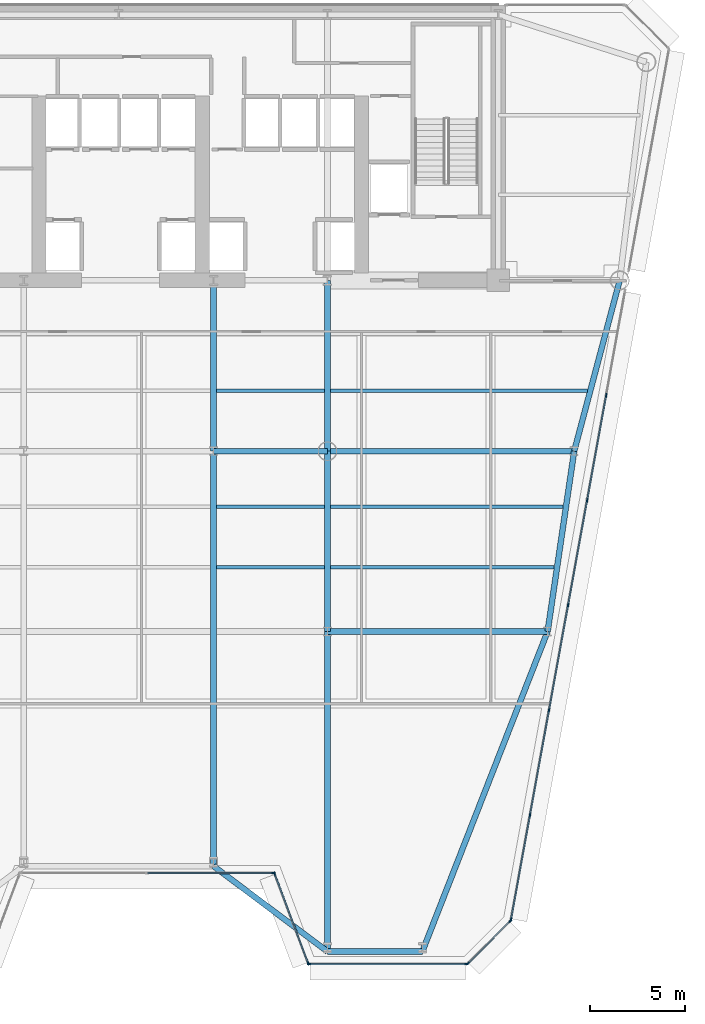
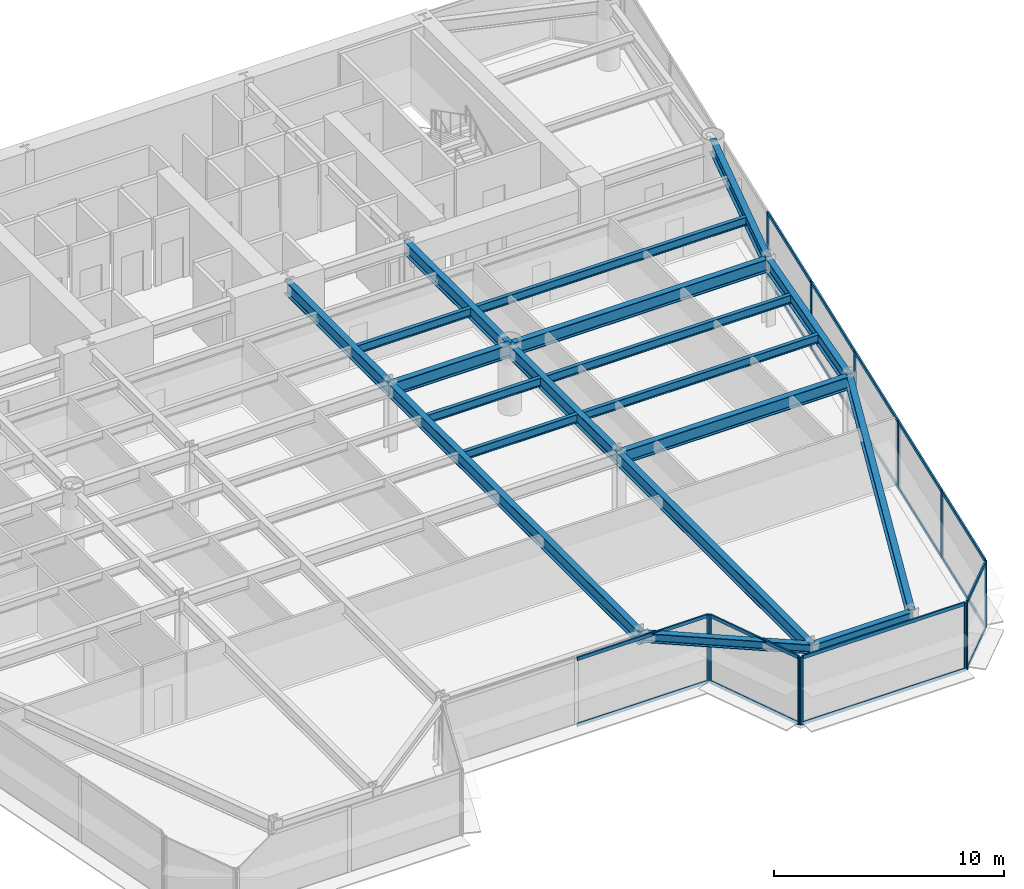
# One storey, part 4 of 14: 31 members, 19 beams, 5 elements without a shape of their own.
"""IFC4 building model written with IfcOpenShell, lengths in metres."""

from ifc_helpers import new_model, si_unit, direction, frame, origin, origin_2d, place, context, subcontext, project, spatial, rectangle, i_section, extrude, source, transform, mapped, material, layer, layer_set, material_profile, profile_set, type_object, element, aggregate, save


model = new_model("IFC4")

# Units and contexts
model_context = context("Model", 3, precision=1e-05, world=origin(), true_north=direction((0.0, 1.0)))
body_context = subcontext(model_context, "Body", "Model", "MODEL_VIEW")
ifc_project = project(units=[si_unit("LENGTHUNIT", "METRE"), si_unit("AREAUNIT", "SQUARE_METRE"), si_unit("VOLUMEUNIT", "CUBIC_METRE"), si_unit("PLANEANGLEUNIT", "RADIAN"), si_unit("MASSUNIT", "GRAM", prefix="KILO")], contexts=[model_context])

# Site, building, storey
site_placement = place(None, origin())
site = spatial("IfcSite", under=ifc_project, at=site_placement, CompositionType="ELEMENT")
building_placement = place(site_placement, origin())
building = spatial("IfcBuilding", under=site, at=building_placement, Name="Vaeldorn Concourse Tower", CompositionType="ELEMENT")
storey_placement = place(building_placement, frame((0.0, 0.0, 137.60009765625)))
storey = spatial("IfcBuildingStorey", under=building, at=storey_placement, Name="L35", CompositionType="ELEMENT", Elevation=137.60009765625)

# Beams
ifc_material_1 = material(Name="Steel S355", Category="steel")
ifc_material_profile_1 = material_profile(ifc_material_1, i_section(OverallWidth=0.300048828125, OverallDepth=0.699951171875, WebThickness=0.01708984375, FlangeThickness=0.031982421875, FilletRadius=0.027099609375, at=origin_2d()), Name="HEB 700")
ifc_profile_set_1 = profile_set([ifc_material_profile_1], Name="Steel S355")
beam_type_1 = type_object("IfcBeamType", Name="BM-PG-HEB700", PredefinedType="BEAM", material=ifc_profile_set_1)
shared_shape_1 = source(origin(), body_context, "Body", "SweptSolid", [
    extrude(i_section(OverallWidth=0.300048828125, OverallDepth=0.699951171875, WebThickness=0.01708984375, FlangeThickness=0.031982421875, FilletRadius=0.027099609375, at=origin_2d()), origin(), (0.0, 0.0, 1.0), 6.0),
])
beam_1_placement = place(storey_placement, frame((39.0, 27.5, 3.22998046875), z_axis=(1.0, 0.0, 0.0), x_axis=(0.0, 1.0, 0.0)))
element("IfcBeam", 1, at=beam_1_placement, inside=storey, type_object=beam_type_1, Name="Beam BM-L35-C-TW3-C-TW4", PredefinedType="BEAM", context=body_context, shape_type="MappedRepresentation", body=[
    mapped(shared_shape_1, transform((0.0, 0.0, 0.0), scale=1.0)),
])
shared_shape_2 = source(origin(), body_context, "Body", "SweptSolid", [
    extrude(i_section(OverallWidth=0.300048828125, OverallDepth=0.699951171875, WebThickness=0.01708984375, FlangeThickness=0.031982421875, FilletRadius=0.027099609375, at=origin_2d()), origin(), (0.0, 0.0, 1.0), 9.0),
])
for number, where, z_axis, x_axis, name in (
    (2, (39.0, 27.5, 3.22998046875), (0.0, 1.0, 0.0), (-1.0, 0.0, 0.0), "Beam BM-L35-C-TW3-C-FC4"),
    (3, (45.0, 27.5, 3.22998046875), (0.0, 1.0, 0.0), (-1.0, 0.0, 0.0), "Beam BM-L35-C-TW4-C-FC5"),
):
    element("IfcBeam", number, at=place(storey_placement, frame(where, z_axis=z_axis, x_axis=x_axis)), inside=storey, type_object=beam_type_1, Name=name, PredefinedType="BEAM", context=body_context, shape_type="MappedRepresentation", body=[
        mapped(shared_shape_2, transform((0.0, 0.0, 0.0), scale=1.0)),
    ])
shared_shape_3 = source(origin(), body_context, "Body", "SweptSolid", [
    extrude(i_section(OverallWidth=0.300048828125, OverallDepth=0.699951171875, WebThickness=0.01708984375, FlangeThickness=0.031982421875, FilletRadius=0.027099609375, at=origin_2d()), origin(), (0.0, 0.0, 1.0), 9.314453125),
])
beam_2_placement = place(storey_placement, frame((60.39990234375, 36.5, 3.22998046875), z_axis=(-0.257652862255, -0.966237549763, 0.0), x_axis=(0.966237549763, -0.257652862255, 0.0)))
element("IfcBeam", 4, at=beam_2_placement, inside=storey, type_object=beam_type_1, Name="Beam BM-L35-C-NE2-C-FLE1", PredefinedType="BEAM", context=body_context, shape_type="MappedRepresentation", body=[
    mapped(shared_shape_3, transform((0.0, 0.0, 0.0), scale=1.0)),
])
shared_shape_4 = source(origin(), body_context, "Body", "SweptSolid", [
    extrude(i_section(OverallWidth=0.300048828125, OverallDepth=0.699951171875, WebThickness=0.01708984375, FlangeThickness=0.031982421875, FilletRadius=0.027099609375, at=origin_2d()), origin(), (0.0, 0.0, 1.0), 13.0),
])
beam_3_placement = place(storey_placement, frame((45.0, 27.5, 3.22998046875), z_axis=(1.0, 0.0, 0.0), x_axis=(0.0, 1.0, 0.0)))
element("IfcBeam", 5, at=beam_3_placement, inside=storey, type_object=beam_type_1, Name="Beam BM-L35-C-TW4-C-FLE1", PredefinedType="BEAM", context=body_context, shape_type="MappedRepresentation", body=[
    mapped(shared_shape_4, transform((0.0, 0.0, 0.0), scale=1.0)),
])
ifc_material_profile_2 = material_profile(ifc_material_1, i_section(OverallWidth=0.300048828125, OverallDepth=0.5, WebThickness=0.014404296875, FlangeThickness=0.028076171875, FilletRadius=0.027099609375, at=origin_2d()), Name="HEB 500")
ifc_profile_set_2 = profile_set([ifc_material_profile_2], Name="Steel S355")
beam_type_2 = type_object("IfcBeamType", Name="BM-SP-HEB500", PredefinedType="SPANDREL", material=ifc_profile_set_2)
shared_shape_5 = source(origin(), body_context, "Body", "SweptSolid", [
    extrude(i_section(OverallWidth=0.300048828125, OverallDepth=0.5, WebThickness=0.014404296875, FlangeThickness=0.028076171875, FilletRadius=0.027099609375, at=origin_2d()), origin(), (0.0, 0.0, 1.0), 5.0),
])
beam_4_placement = place(storey_placement, frame((45.0, 1.13916015625, 3.329833984375), z_axis=(1.0, 0.0, 0.0), x_axis=(0.0, 1.0, 0.0)))
element("IfcBeam", 6, at=beam_4_placement, inside=storey, type_object=beam_type_2, Name="Beam BM-L35-C-SF5-C-SF6", PredefinedType="SPANDREL", context=body_context, shape_type="MappedRepresentation", body=[
    mapped(shared_shape_5, transform((0.0, 0.0, 0.0), scale=1.0)),
])
shared_shape_6 = source(origin(), body_context, "Body", "SweptSolid", [
    extrude(i_section(OverallWidth=0.300048828125, OverallDepth=0.5, WebThickness=0.014404296875, FlangeThickness=0.028076171875, FilletRadius=0.027099609375, at=origin_2d()), origin(), (0.0, 0.0, 1.0), 7.5),
])
beam_5_placement = place(storey_placement, frame((39.0, 5.63916015625, 3.329833984375), z_axis=(0.8, -0.6, 0.0), x_axis=(0.6, 0.8, 0.0)))
element("IfcBeam", 7, at=beam_5_placement, inside=storey, type_object=beam_type_2, Name="Beam BM-L35-C-SF4-C-SF5", PredefinedType="SPANDREL", context=body_context, shape_type="MappedRepresentation", body=[
    mapped(shared_shape_6, transform((0.0, 0.0, 0.0), scale=1.0)),
])
shared_shape_7 = source(origin(), body_context, "Body", "SweptSolid", [
    extrude(i_section(OverallWidth=0.300048828125, OverallDepth=0.699951171875, WebThickness=0.01708984375, FlangeThickness=0.031982421875, FilletRadius=0.027099609375, at=origin_2d()), origin(), (0.0, 0.0, 1.0), 9.6025390625),
])
beam_6_placement = place(storey_placement, frame((58.0, 27.5, 3.22998046875), z_axis=(-0.145783835977, -0.989316467652, 0.0), x_axis=(0.989316467652, -0.145783835977, 0.0)))
element("IfcBeam", 8, at=beam_6_placement, inside=storey, type_object=beam_type_1, Name="Beam BM-L35-C-FLE1-C-FLE2", PredefinedType="BEAM", context=body_context, shape_type="MappedRepresentation", body=[
    mapped(shared_shape_7, transform((0.0, 0.0, 0.0), scale=1.0)),
])
shared_shape_8 = source(origin(), body_context, "Body", "SweptSolid", [
    extrude(i_section(OverallWidth=0.300048828125, OverallDepth=0.699951171875, WebThickness=0.01708984375, FlangeThickness=0.031982421875, FilletRadius=0.027099609375, at=origin_2d()), origin(), (0.0, 0.0, 1.0), 11.60009765625),
])
beam_7_placement = place(storey_placement, frame((45.0, 18.0, 3.22998046875), z_axis=(1.0, 0.0, 0.0), x_axis=(0.0, 1.0, 0.0)))
element("IfcBeam", 9, at=beam_7_placement, inside=storey, type_object=beam_type_1, Name="Beam BM-L35-C-TW6-C-FLE2", PredefinedType="BEAM", context=body_context, shape_type="MappedRepresentation", body=[
    mapped(shared_shape_8, transform((0.0, 0.0, 0.0), scale=1.0)),
])
shared_shape_9 = source(origin(), body_context, "Body", "SweptSolid", [
    extrude(i_section(OverallWidth=0.300048828125, OverallDepth=0.699951171875, WebThickness=0.01708984375, FlangeThickness=0.031982421875, FilletRadius=0.027099609375, at=origin_2d()), origin(), (0.0, 0.0, 1.0), 9.5),
])
beam_8_placement = place(storey_placement, frame((45.0, 18.0, 3.22998046875), z_axis=(0.0, 1.0, 0.0), x_axis=(-1.0, 0.0, 0.0)))
element("IfcBeam", 10, at=beam_8_placement, inside=storey, type_object=beam_type_1, Name="Beam BM-L35-C-TW6-C-TW4", PredefinedType="BEAM", context=body_context, shape_type="MappedRepresentation", body=[
    mapped(shared_shape_9, transform((0.0, 0.0, 0.0), scale=1.0)),
])
ifc_material_profile_3 = material_profile(ifc_material_1, i_section(OverallWidth=0.18994140625, OverallDepth=0.449951171875, WebThickness=0.009521484375, FlangeThickness=0.0146484375, FilletRadius=0.02099609375, at=origin_2d()), Name="IPE 450")
ifc_profile_set_3 = profile_set([ifc_material_profile_3], Name="Steel S355")
beam_type_3 = type_object("IfcBeamType", Name="BM-JS-IPE450", PredefinedType="JOIST", material=ifc_profile_set_3)
shared_shape_10 = source(origin(), body_context, "Body", "SweptSolid", [
    extrude(i_section(OverallWidth=0.18994140625, OverallDepth=0.449951171875, WebThickness=0.009521484375, FlangeThickness=0.0146484375, FilletRadius=0.02099609375, at=origin_2d()), origin(), (0.0, 0.0, 1.0), 5.7001953125),
])
for number, where, z_axis, x_axis, name in (
    (11, (39.14990234375, 21.3798828125, 3.35498046875), (1.0, 0.0, 0.0), (0.0, 1.0, 0.0), "Beam JS-L35-E2-213"),
    (12, (39.14990234375, 24.580078125, 3.35498046875), (1.0, 0.0, 0.0), (0.0, 1.0, 0.0), "Beam JS-L35-E2-245"),
    (13, (39.14990234375, 30.679931640625, 3.35498046875), (1.0, 0.0, 0.0), (0.0, 1.0, 0.0), "Beam JS-L35-E2-306"),
):
    element("IfcBeam", number, at=place(storey_placement, frame(where, z_axis=z_axis, x_axis=x_axis)), inside=storey, type_object=beam_type_3, Name=name, PredefinedType="JOIST", context=body_context, shape_type="MappedRepresentation", body=[
        mapped(shared_shape_10, transform((0.0, 0.0, 0.0), scale=1.0)),
    ])
shared_shape_11 = source(origin(), body_context, "Body", "SweptSolid", [
    extrude(i_section(OverallWidth=0.300048828125, OverallDepth=0.699951171875, WebThickness=0.01708984375, FlangeThickness=0.031982421875, FilletRadius=0.027099609375, at=origin_2d()), origin(), (0.0, 0.0, 1.0), 18.106689453125),
])
beam_9_placement = place(storey_placement, frame((50.0, 1.13916015625, 3.22998046875), z_axis=(0.36451322626, 0.931198210845, 0.0), x_axis=(-0.931198210845, 0.36451322626, 0.0)))
element("IfcBeam", 14, at=beam_9_placement, inside=storey, type_object=beam_type_1, Name="Beam BM-L35-C-SF6-C-FLE2", PredefinedType="BEAM", context=body_context, shape_type="MappedRepresentation", body=[
    mapped(shared_shape_11, transform((0.0, 0.0, 0.0), scale=1.0)),
])
shared_shape_12 = source(origin(), body_context, "Body", "SweptSolid", [
    extrude(i_section(OverallWidth=0.300048828125, OverallDepth=0.699951171875, WebThickness=0.01708984375, FlangeThickness=0.031982421875, FilletRadius=0.027099609375, at=origin_2d()), origin(), (0.0, 0.0, 1.0), 16.86083984375),
])
beam_10_placement = place(storey_placement, frame((45.0, 1.13916015625, 3.22998046875), z_axis=(0.0, 1.0, 0.0), x_axis=(-1.0, 0.0, 0.0)))
element("IfcBeam", 15, at=beam_10_placement, inside=storey, type_object=beam_type_1, Name="Beam BM-L35-C-SF5-C-TW6", PredefinedType="BEAM", context=body_context, shape_type="MappedRepresentation", body=[
    mapped(shared_shape_12, transform((0.0, 0.0, 0.0), scale=1.0)),
])
shared_shape_13 = source(origin(), body_context, "Body", "SweptSolid", [
    extrude(i_section(OverallWidth=0.300048828125, OverallDepth=0.699951171875, WebThickness=0.01708984375, FlangeThickness=0.031982421875, FilletRadius=0.027099609375, at=origin_2d()), origin(), (0.0, 0.0, 1.0), 21.86083984375),
])
beam_11_placement = place(storey_placement, frame((39.0, 5.63916015625, 3.22998046875), z_axis=(0.0, 1.0, 0.0), x_axis=(-1.0, 0.0, 0.0)))
element("IfcBeam", 16, at=beam_11_placement, inside=storey, type_object=beam_type_1, Name="Beam BM-L35-C-SF4-C-TW3", PredefinedType="BEAM", context=body_context, shape_type="MappedRepresentation", body=[
    mapped(shared_shape_13, transform((0.0, 0.0, 0.0), scale=1.0)),
])
shared_shape_14 = source(origin(), body_context, "Body", "SweptSolid", [
    extrude(i_section(OverallWidth=0.18994140625, OverallDepth=0.449951171875, WebThickness=0.009521484375, FlangeThickness=0.0146484375, FilletRadius=0.02099609375, at=origin_2d()), origin(), (0.0, 0.0, 1.0), 11.798095703125),
])
beam_12_placement = place(storey_placement, frame((45.14990234375, 21.3798828125, 3.35498046875), z_axis=(1.0, 0.0, 0.0), x_axis=(0.0, 1.0, 0.0)))
element("IfcBeam", 17, at=beam_12_placement, inside=storey, type_object=beam_type_3, Name="Beam JS-L35-E1-213", PredefinedType="JOIST", context=body_context, shape_type="MappedRepresentation", body=[
    mapped(shared_shape_14, transform((0.0, 0.0, 0.0), scale=1.0)),
])
shared_shape_15 = source(origin(), body_context, "Body", "SweptSolid", [
    extrude(i_section(OverallWidth=0.18994140625, OverallDepth=0.449951171875, WebThickness=0.009521484375, FlangeThickness=0.0146484375, FilletRadius=0.02099609375, at=origin_2d()), origin(), (0.0, 0.0, 1.0), 12.269775390625),
])
beam_13_placement = place(storey_placement, frame((45.14990234375, 24.580078125, 3.35498046875), z_axis=(1.0, 0.0, 0.0), x_axis=(0.0, 1.0, 0.0)))
element("IfcBeam", 18, at=beam_13_placement, inside=storey, type_object=beam_type_3, Name="Beam JS-L35-E1-245", PredefinedType="JOIST", context=body_context, shape_type="MappedRepresentation", body=[
    mapped(shared_shape_15, transform((0.0, 0.0, 0.0), scale=1.0)),
])
shared_shape_16 = source(origin(), body_context, "Body", "SweptSolid", [
    extrude(i_section(OverallWidth=0.18994140625, OverallDepth=0.449951171875, WebThickness=0.009521484375, FlangeThickness=0.0146484375, FilletRadius=0.02099609375, at=origin_2d()), origin(), (0.0, 0.0, 1.0), 13.548095703125),
])
beam_14_placement = place(storey_placement, frame((45.14990234375, 30.679931640625, 3.35498046875), z_axis=(1.0, 0.0, 0.0), x_axis=(0.0, 1.0, 0.0)))
element("IfcBeam", 19, at=beam_14_placement, inside=storey, type_object=beam_type_3, Name="Beam JS-L35-E1-306", PredefinedType="JOIST", context=body_context, shape_type="MappedRepresentation", body=[
    mapped(shared_shape_16, transform((0.0, 0.0, 0.0), scale=1.0)),
])

# Curtain wall, members
ifc_material_2 = material(Name="Anodised Bronze Aluminium", Category="aluminium")
ifc_layer = layer(ifc_material_2, 0.199951171875)
ifc_layer_set = layer_set([ifc_layer], Name="Anodised Bronze Aluminium")
curtain_wall_type = type_object("IfcCurtainWallType", Name="CW-SYS-02", PredefinedType="NOTDEFINED", material=ifc_layer_set)
curtain_wall_1_placement = place(storey_placement, origin())
curtain_wall_1 = element("IfcCurtainWall", 20, at=curtain_wall_1_placement, inside=storey, type_object=curtain_wall_type, Name="Unitised Curtain Wall CW-L35-E03-1", PredefinedType="NOTDEFINED")
ifc_material_profile_4 = material_profile(ifc_material_2, rectangle(XDim=0.074951171875, YDim=0.179931640625, at=origin_2d()), Name="CWT 75x180")
ifc_profile_set_4 = profile_set([ifc_material_profile_4], Name="Anodised Bronze Aluminium")
member_type_1 = type_object("IfcMemberType", Name="CWT-BRONZE-180", PredefinedType="USERDEFINED", material=ifc_profile_set_4)
shared_shape_17 = source(origin(), body_context, "Body", "SweptSolid", [
    extrude(rectangle(XDim=0.074951171875, YDim=0.179931640625, at=origin_2d()), origin(), (0.0, 0.0, 1.0), 6.58740234375),
])
member_1_placement = place(storey_placement, frame((35.53759765625, 5.2783203125, 0.037353515625), z_axis=(1.0, 0.0, 0.0), x_axis=(0.0, 1.0, 0.0)))
member_1 = element("IfcMember", 21, at=member_1_placement, type_object=member_type_1, Name="CW-02 transom 2.1", ObjectType="TRANSOM", PredefinedType="USERDEFINED", context=body_context, shape_type="MappedRepresentation", body=[
    mapped(shared_shape_17, transform((0.0, 0.0, 0.0), scale=1.0)),
])
member_2_placement = place(storey_placement, frame((35.53759765625, 5.2783203125, 3.54248046875), z_axis=(1.0, 0.0, 0.0), x_axis=(0.0, 1.0, 0.0)))
member_2 = element("IfcMember", 22, at=member_2_placement, type_object=member_type_1, Name="CW-02 transom 2.2", ObjectType="TRANSOM", PredefinedType="USERDEFINED", context=body_context, shape_type="MappedRepresentation", body=[
    mapped(shared_shape_17, transform((0.0, 0.0, 0.0), scale=1.0)),
])

curtain_wall_2_placement = place(storey_placement, origin())
curtain_wall_2 = element("IfcCurtainWall", 23, at=curtain_wall_2_placement, inside=storey, type_object=curtain_wall_type, Name="Unitised Curtain Wall CW-L35-E04-1", PredefinedType="NOTDEFINED")
shared_shape_18 = source(origin(), body_context, "Body", "SweptSolid", [
    extrude(rectangle(XDim=0.074951171875, YDim=0.179931640625, at=origin_2d()), origin(), (0.0, 0.0, 1.0), 4.9765625),
])
member_3_placement = place(storey_placement, frame((42.226318359375, 5.2080078125, 0.037353515625), z_axis=(0.351112688987, -0.936333209724, 0.0), x_axis=(0.936333209724, 0.351112688987, 0.0)))
member_3 = element("IfcMember", 24, at=member_3_placement, type_object=member_type_1, Name="CW-02 transom 1.1", ObjectType="TRANSOM", PredefinedType="USERDEFINED", context=body_context, shape_type="MappedRepresentation", body=[
    mapped(shared_shape_18, transform((0.0, 0.0, 0.0), scale=1.0)),
])
member_4_placement = place(storey_placement, frame((42.226318359375, 5.2080078125, 3.54248046875), z_axis=(0.351112688987, -0.936333209724, 0.0), x_axis=(0.936333209724, 0.351112688987, 0.0)))
member_4 = element("IfcMember", 25, at=member_4_placement, type_object=member_type_1, Name="CW-02 transom 1.2", ObjectType="TRANSOM", PredefinedType="USERDEFINED", context=body_context, shape_type="MappedRepresentation", body=[
    mapped(shared_shape_18, transform((0.0, 0.0, 0.0), scale=1.0)),
])

curtain_wall_3_placement = place(storey_placement, origin())
curtain_wall_3 = element("IfcCurtainWall", 26, at=curtain_wall_3_placement, inside=storey, type_object=curtain_wall_type, Name="Unitised Curtain Wall CW-L35-E05-1", PredefinedType="NOTDEFINED")
shared_shape_19 = source(origin(), body_context, "Body", "SweptSolid", [
    extrude(rectangle(XDim=0.074951171875, YDim=0.179931640625, at=origin_2d()), origin(), (0.0, 0.0, 1.0), 8.2138671875),
])
member_5_placement = place(storey_placement, frame((44.074951171875, 0.478271484375, 0.037353515625), z_axis=(1.0, 0.0, 0.0), x_axis=(0.0, 1.0, 0.0)))
member_5 = element("IfcMember", 27, at=member_5_placement, type_object=member_type_1, Name="CW-02 transom 1.1", ObjectType="TRANSOM", PredefinedType="USERDEFINED", context=body_context, shape_type="MappedRepresentation", body=[
    mapped(shared_shape_19, transform((0.0, 0.0, 0.0), scale=1.0)),
])
member_6_placement = place(storey_placement, frame((44.074951171875, 0.478271484375, 3.54248046875), z_axis=(1.0, 0.0, 0.0), x_axis=(0.0, 1.0, 0.0)))
member_6 = element("IfcMember", 28, at=member_6_placement, type_object=member_type_1, Name="CW-02 transom 1.2", ObjectType="TRANSOM", PredefinedType="USERDEFINED", context=body_context, shape_type="MappedRepresentation", body=[
    mapped(shared_shape_19, transform((0.0, 0.0, 0.0), scale=1.0)),
])

curtain_wall_4_placement = place(storey_placement, origin())
curtain_wall_4 = element("IfcCurtainWall", 29, at=curtain_wall_4_placement, inside=storey, type_object=curtain_wall_type, Name="Unitised Curtain Wall CW-L35-E06-1", PredefinedType="NOTDEFINED")
shared_shape_20 = source(origin(), body_context, "Body", "SweptSolid", [
    extrude(rectangle(XDim=0.074951171875, YDim=0.179931640625, at=origin_2d()), origin(), (0.0, 0.0, 1.0), 3.1025390625),
])
member_7_placement = place(storey_placement, frame((52.4169921875, 0.53125, 0.037353515625), z_axis=(0.707106781187, 0.707106781187, 0.0), x_axis=(-0.707106781187, 0.707106781187, 0.0)))
member_7 = element("IfcMember", 30, at=member_7_placement, type_object=member_type_1, Name="CW-02 transom 1.1", ObjectType="TRANSOM", PredefinedType="USERDEFINED", context=body_context, shape_type="MappedRepresentation", body=[
    mapped(shared_shape_20, transform((0.0, 0.0, 0.0), scale=1.0)),
])
member_8_placement = place(storey_placement, frame((52.4169921875, 0.53125, 3.54248046875), z_axis=(0.707106781187, 0.707106781187, 0.0), x_axis=(-0.707106781187, 0.707106781187, 0.0)))
member_8 = element("IfcMember", 31, at=member_8_placement, type_object=member_type_1, Name="CW-02 transom 1.2", ObjectType="TRANSOM", PredefinedType="USERDEFINED", context=body_context, shape_type="MappedRepresentation", body=[
    mapped(shared_shape_20, transform((0.0, 0.0, 0.0), scale=1.0)),
])

# Member
ifc_material_profile_5 = material_profile(ifc_material_2, rectangle(XDim=0.074951171875, YDim=0.18994140625, at=origin_2d()), Name="CWM 75x190")
ifc_profile_set_5 = profile_set([ifc_material_profile_5], Name="Anodised Bronze Aluminium")
member_type_2 = type_object("IfcMemberType", Name="CWM-BRONZE-190", PredefinedType="MULLION", material=ifc_profile_set_5)
shared_shape_21 = source(origin(), body_context, "Body", "SweptSolid", [
    extrude(rectangle(XDim=0.074951171875, YDim=0.18994140625, at=origin_2d()), origin(), (0.0, 0.0, 1.0), 3.579833984375),
])
member_9_placement = place(storey_placement, frame((42.16259765625, 5.2783203125, 0.0), z_axis=(0.0, 0.0, 1.0), x_axis=(0.0, 1.0, 0.0)))
member_9 = element("IfcMember", 32, at=member_9_placement, type_object=member_type_2, Name="CW-02 mullion 3", PredefinedType="MULLION", context=body_context, shape_type="MappedRepresentation", body=[
    mapped(shared_shape_21, transform((0.0, 0.0, 0.0), scale=1.0)),
])

aggregate(curtain_wall_1, [member_9, member_1, member_2])

member_10_placement = place(storey_placement, frame((42.213134765625, 5.2431640625, 0.0), z_axis=(0.0, 0.0, 1.0), x_axis=(0.936329177566, 0.351123441595, 0.0)))
member_10 = element("IfcMember", 33, at=member_10_placement, type_object=member_type_2, Name="CW-02 mullion 1", PredefinedType="MULLION", context=body_context, shape_type="MappedRepresentation", body=[
    mapped(shared_shape_21, transform((0.0, 0.0, 0.0), scale=1.0)),
])

member_11_placement = place(storey_placement, frame((43.98681640625, 0.513427734375, 0.0), z_axis=(0.0, 0.0, 1.0), x_axis=(0.936329177566, 0.351123441595, 0.0)))
member_11 = element("IfcMember", 34, at=member_11_placement, type_object=member_type_2, Name="CW-02 mullion 2", PredefinedType="MULLION", context=body_context, shape_type="MappedRepresentation", body=[
    mapped(shared_shape_21, transform((0.0, 0.0, 0.0), scale=1.0)),
])

aggregate(curtain_wall_2, [member_10, member_11, member_3, member_4])

member_12_placement = place(storey_placement, frame((44.03759765625, 0.478271484375, 0.0), z_axis=(0.0, 0.0, 1.0), x_axis=(0.0, 1.0, 0.0)))
member_12 = element("IfcMember", 35, at=member_12_placement, type_object=member_type_2, Name="CW-02 mullion 1", PredefinedType="MULLION", context=body_context, shape_type="MappedRepresentation", body=[
    mapped(shared_shape_21, transform((0.0, 0.0, 0.0), scale=1.0)),
])

member_13_placement = place(storey_placement, frame((52.326416015625, 0.478271484375, 0.0), z_axis=(0.0, 0.0, 1.0), x_axis=(0.0, 1.0, 0.0)))
member_13 = element("IfcMember", 36, at=member_13_placement, type_object=member_type_2, Name="CW-02 mullion 2", PredefinedType="MULLION", context=body_context, shape_type="MappedRepresentation", body=[
    mapped(shared_shape_21, transform((0.0, 0.0, 0.0), scale=1.0)),
])

aggregate(curtain_wall_3, [member_12, member_13, member_5, member_6])

member_14_placement = place(storey_placement, frame((52.390380859375, 0.504638671875, 0.0), z_axis=(0.0, 0.0, 1.0), x_axis=(-0.707106781187, 0.707106781187, 0.0)))
member_14 = element("IfcMember", 37, at=member_14_placement, type_object=member_type_2, Name="CW-02 mullion 1", PredefinedType="MULLION", context=body_context, shape_type="MappedRepresentation", body=[
    mapped(shared_shape_21, transform((0.0, 0.0, 0.0), scale=1.0)),
])

member_15_placement = place(storey_placement, frame((54.637451171875, 2.751708984375, 0.0), z_axis=(0.0, 0.0, 1.0), x_axis=(-0.707106781187, 0.707106781187, 0.0)))
member_15 = element("IfcMember", 38, at=member_15_placement, type_object=member_type_2, Name="CW-02 mullion 2", PredefinedType="MULLION", context=body_context, shape_type="MappedRepresentation", body=[
    mapped(shared_shape_21, transform((0.0, 0.0, 0.0), scale=1.0)),
])

aggregate(curtain_wall_4, [member_14, member_15, member_7, member_8])

# Curtain wall, members
curtain_wall_5_placement = place(storey_placement, origin())
curtain_wall_5 = element("IfcCurtainWall", 39, at=curtain_wall_5_placement, inside=storey, type_object=curtain_wall_type, Name="Unitised Curtain Wall CW-L35-E07-1", PredefinedType="NOTDEFINED")
member_16_placement = place(storey_placement, frame((54.670654296875, 2.815185546875, 0.0), z_axis=(0.0, 0.0, 1.0), x_axis=(-0.983920223109, 0.178608495197, 0.0)))
member_16 = element("IfcMember", 40, at=member_16_placement, type_object=member_type_2, Name="CW-02 mullion 1", PredefinedType="MULLION", context=body_context, shape_type="MappedRepresentation", body=[
    mapped(shared_shape_21, transform((0.0, 0.0, 0.0), scale=1.0)),
])
member_17_placement = place(storey_placement, frame((55.66845703125, 8.312255859375, 0.0), z_axis=(0.0, 0.0, 1.0), x_axis=(-0.983920223109, 0.178608495197, 0.0)))
member_17 = element("IfcMember", 41, at=member_17_placement, type_object=member_type_2, Name="CW-02 mullion 2", PredefinedType="MULLION", context=body_context, shape_type="MappedRepresentation", body=[
    mapped(shared_shape_21, transform((0.0, 0.0, 0.0), scale=1.0)),
])
member_18_placement = place(storey_placement, frame((56.673095703125, 13.84619140625, 0.0), z_axis=(0.0, 0.0, 1.0), x_axis=(-0.983920223109, 0.178608495197, 0.0)))
member_18 = element("IfcMember", 42, at=member_18_placement, type_object=member_type_2, Name="CW-02 mullion 3", PredefinedType="MULLION", context=body_context, shape_type="MappedRepresentation", body=[
    mapped(shared_shape_21, transform((0.0, 0.0, 0.0), scale=1.0)),
])
member_19_placement = place(storey_placement, frame((57.677490234375, 19.380126953125, 0.0), z_axis=(0.0, 0.0, 1.0), x_axis=(-0.983920223109, 0.178608495197, 0.0)))
member_19 = element("IfcMember", 43, at=member_19_placement, type_object=member_type_2, Name="CW-02 mullion 4", PredefinedType="MULLION", context=body_context, shape_type="MappedRepresentation", body=[
    mapped(shared_shape_21, transform((0.0, 0.0, 0.0), scale=1.0)),
])
member_20_placement = place(storey_placement, frame((58.68212890625, 24.9140625, 0.0), z_axis=(0.0, 0.0, 1.0), x_axis=(-0.983920223109, 0.178608495197, 0.0)))
member_20 = element("IfcMember", 44, at=member_20_placement, type_object=member_type_2, Name="CW-02 mullion 5", PredefinedType="MULLION", context=body_context, shape_type="MappedRepresentation", body=[
    mapped(shared_shape_21, transform((0.0, 0.0, 0.0), scale=1.0)),
])
member_21_placement = place(storey_placement, frame((59.686767578125, 30.447998046875, 0.0), z_axis=(0.0, 0.0, 1.0), x_axis=(-0.983920223109, 0.178608495197, 0.0)))
member_21 = element("IfcMember", 45, at=member_21_placement, type_object=member_type_2, Name="CW-02 mullion 6", PredefinedType="MULLION", context=body_context, shape_type="MappedRepresentation", body=[
    mapped(shared_shape_21, transform((0.0, 0.0, 0.0), scale=1.0)),
])
shared_shape_22 = source(origin(), body_context, "Body", "SweptSolid", [
    extrude(rectangle(XDim=0.074951171875, YDim=0.179931640625, at=origin_2d()), origin(), (0.0, 0.0, 1.0), 5.511962890625),
])
member_22_placement = place(storey_placement, frame((54.67724609375, 2.85205078125, 0.037353515625), z_axis=(0.178632078565, 0.98391594179, 0.0), x_axis=(-0.98391594179, 0.178632078565, 0.0)))
member_22 = element("IfcMember", 46, at=member_22_placement, type_object=member_type_1, Name="CW-02 transom 1.1", ObjectType="TRANSOM", PredefinedType="USERDEFINED", context=body_context, shape_type="MappedRepresentation", body=[
    mapped(shared_shape_22, transform((0.0, 0.0, 0.0), scale=1.0)),
])
member_23_placement = place(storey_placement, frame((54.67724609375, 2.85205078125, 3.54248046875), z_axis=(0.178632078565, 0.98391594179, 0.0), x_axis=(-0.98391594179, 0.178632078565, 0.0)))
member_23 = element("IfcMember", 47, at=member_23_placement, type_object=member_type_1, Name="CW-02 transom 1.2", ObjectType="TRANSOM", PredefinedType="USERDEFINED", context=body_context, shape_type="MappedRepresentation", body=[
    mapped(shared_shape_22, transform((0.0, 0.0, 0.0), scale=1.0)),
])
shared_shape_23 = source(origin(), body_context, "Body", "SweptSolid", [
    extrude(rectangle(XDim=0.074951171875, YDim=0.179931640625, at=origin_2d()), origin(), (0.0, 0.0, 1.0), 5.549560546875),
])
member_24_placement = place(storey_placement, frame((55.675048828125, 8.34912109375, 0.037353515625), z_axis=(0.17861443021, 0.983919145723, 0.0), x_axis=(-0.983919145723, 0.17861443021, 0.0)))
member_24 = element("IfcMember", 48, at=member_24_placement, type_object=member_type_1, Name="CW-02 transom 2.1", ObjectType="TRANSOM", PredefinedType="USERDEFINED", context=body_context, shape_type="MappedRepresentation", body=[
    mapped(shared_shape_23, transform((0.0, 0.0, 0.0), scale=1.0)),
])
member_25_placement = place(storey_placement, frame((55.675048828125, 8.34912109375, 3.54248046875), z_axis=(0.17861443021, 0.983919145723, 0.0), x_axis=(-0.983919145723, 0.17861443021, 0.0)))
member_25 = element("IfcMember", 49, at=member_25_placement, type_object=member_type_1, Name="CW-02 transom 2.2", ObjectType="TRANSOM", PredefinedType="USERDEFINED", context=body_context, shape_type="MappedRepresentation", body=[
    mapped(shared_shape_23, transform((0.0, 0.0, 0.0), scale=1.0)),
])
member_26_placement = place(storey_placement, frame((56.6796875, 13.883056640625, 0.037353515625), z_axis=(0.17861443021, 0.983919145723, 0.0), x_axis=(-0.983919145723, 0.17861443021, 0.0)))
member_26 = element("IfcMember", 50, at=member_26_placement, type_object=member_type_1, Name="CW-02 transom 3.1", ObjectType="TRANSOM", PredefinedType="USERDEFINED", context=body_context, shape_type="MappedRepresentation", body=[
    mapped(shared_shape_23, transform((0.0, 0.0, 0.0), scale=1.0)),
])
member_27_placement = place(storey_placement, frame((56.6796875, 13.883056640625, 3.54248046875), z_axis=(0.17861443021, 0.983919145723, 0.0), x_axis=(-0.983919145723, 0.17861443021, 0.0)))
member_27 = element("IfcMember", 51, at=member_27_placement, type_object=member_type_1, Name="CW-02 transom 3.2", ObjectType="TRANSOM", PredefinedType="USERDEFINED", context=body_context, shape_type="MappedRepresentation", body=[
    mapped(shared_shape_23, transform((0.0, 0.0, 0.0), scale=1.0)),
])
member_28_placement = place(storey_placement, frame((57.684326171875, 19.4169921875, 0.037353515625), z_axis=(0.17861443021, 0.983919145723, 0.0), x_axis=(-0.983919145723, 0.17861443021, 0.0)))
member_28 = element("IfcMember", 52, at=member_28_placement, type_object=member_type_1, Name="CW-02 transom 4.1", ObjectType="TRANSOM", PredefinedType="USERDEFINED", context=body_context, shape_type="MappedRepresentation", body=[
    mapped(shared_shape_23, transform((0.0, 0.0, 0.0), scale=1.0)),
])
member_29_placement = place(storey_placement, frame((57.684326171875, 19.4169921875, 3.54248046875), z_axis=(0.17861443021, 0.983919145723, 0.0), x_axis=(-0.983919145723, 0.17861443021, 0.0)))
member_29 = element("IfcMember", 53, at=member_29_placement, type_object=member_type_1, Name="CW-02 transom 4.2", ObjectType="TRANSOM", PredefinedType="USERDEFINED", context=body_context, shape_type="MappedRepresentation", body=[
    mapped(shared_shape_23, transform((0.0, 0.0, 0.0), scale=1.0)),
])
shared_shape_24 = source(origin(), body_context, "Body", "SweptSolid", [
    extrude(rectangle(XDim=0.074951171875, YDim=0.179931640625, at=origin_2d()), origin(), (0.0, 0.0, 1.0), 5.54931640625),
])
member_30_placement = place(storey_placement, frame((58.68896484375, 24.950927734375, 0.037353515625), z_axis=(0.178571839542, 0.98392687641, 0.0), x_axis=(-0.98392687641, 0.178571839542, 0.0)))
member_30 = element("IfcMember", 54, at=member_30_placement, type_object=member_type_1, Name="CW-02 transom 5.1", ObjectType="TRANSOM", PredefinedType="USERDEFINED", context=body_context, shape_type="MappedRepresentation", body=[
    mapped(shared_shape_24, transform((0.0, 0.0, 0.0), scale=1.0)),
])
member_31_placement = place(storey_placement, frame((58.68896484375, 24.950927734375, 3.54248046875), z_axis=(0.178571839542, 0.98392687641, 0.0), x_axis=(-0.98392687641, 0.178571839542, 0.0)))
member_31 = element("IfcMember", 55, at=member_31_placement, type_object=member_type_1, Name="CW-02 transom 5.2", ObjectType="TRANSOM", PredefinedType="USERDEFINED", context=body_context, shape_type="MappedRepresentation", body=[
    mapped(shared_shape_24, transform((0.0, 0.0, 0.0), scale=1.0)),
])
aggregate(curtain_wall_5, [member_16, member_17, member_18, member_19, member_20, member_21, member_22, member_23, member_24, member_25, member_26, member_27, member_28, member_29, member_30, member_31])

save(model, "model.ifc")
